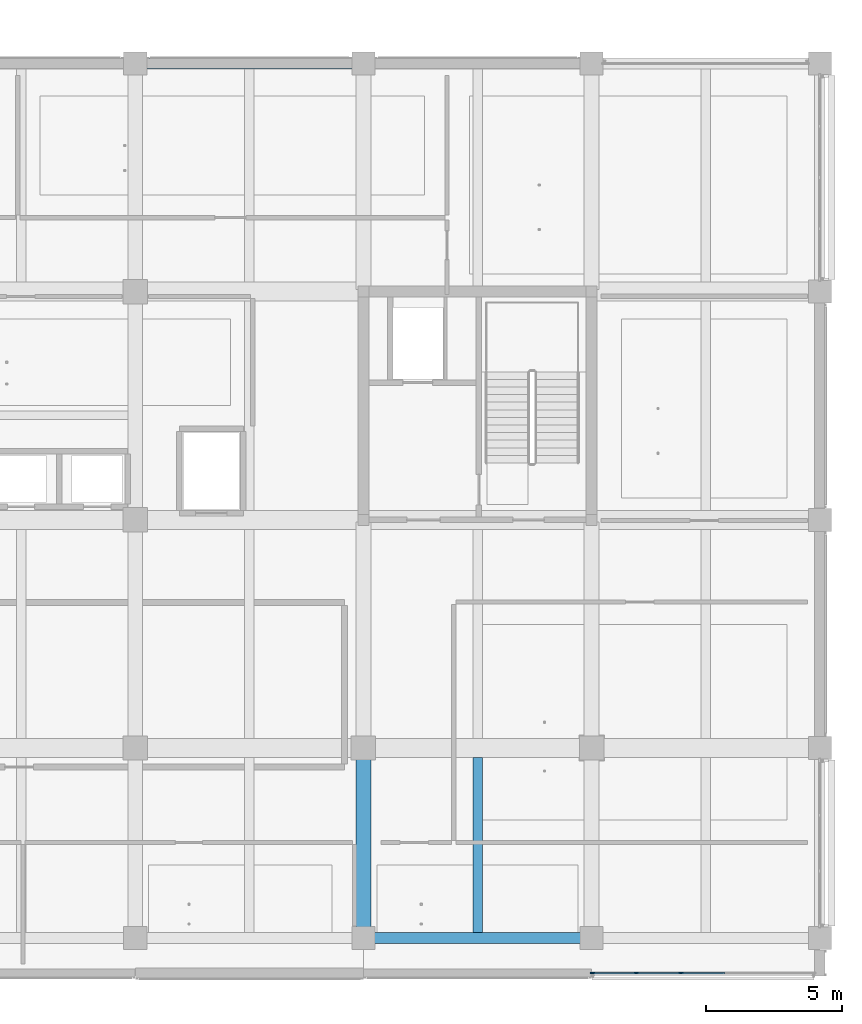
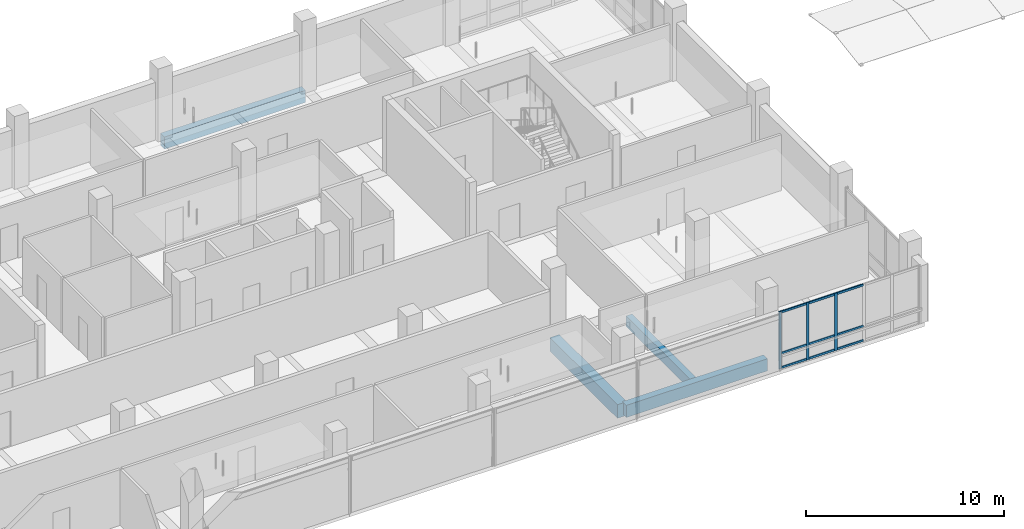
# One storey, part 7 of 39: 12 members, 4 beams, 1 element without a shape of its own.
"""IFC4 building model written with IfcOpenShell, lengths in metres."""

from ifc_helpers import new_model, si_unit, direction, frame, origin, origin_2d, place, context, subcontext, project, spatial, rectangle, extrude, material, layer, layer_set, material_profile, profile_set, type_object, element, aggregate, save


model = new_model("IFC4")

# Units and contexts
model_context = context("Model", 3, precision=1e-05, world=origin(), true_north=direction((0.0, 1.0)))
body_context = subcontext(model_context, "Body", "Model", "MODEL_VIEW")
ifc_project = project(units=[si_unit("LENGTHUNIT", "METRE"), si_unit("AREAUNIT", "SQUARE_METRE"), si_unit("VOLUMEUNIT", "CUBIC_METRE"), si_unit("PLANEANGLEUNIT", "RADIAN"), si_unit("MASSUNIT", "GRAM", prefix="KILO")], contexts=[model_context])

# Site, building, storey
site_placement = place(None, origin())
site = spatial("IfcSite", under=ifc_project, at=site_placement, CompositionType="ELEMENT")
building_placement = place(site_placement, origin())
building = spatial("IfcBuilding", under=site, at=building_placement, Name="Telukmera Botanical Conservatory", CompositionType="ELEMENT")
storey_placement = place(building_placement, frame((0.0, 0.0, 19.5)))
storey = spatial("IfcBuildingStorey", under=building, at=storey_placement, Name="L04", CompositionType="ELEMENT", Elevation=19.5)

# Beams
ifc_material_1 = material(Name="Concrete C40/50", Category="concrete")
ifc_material_profile_1 = material_profile(ifc_material_1, rectangle(XDim=0.35009765625, YDim=0.64990234375, at=origin_2d()), Name="RC 350x650")
ifc_profile_set_1 = profile_set([ifc_material_profile_1], Name="Concrete C40/50")
beam_type_1 = type_object("IfcBeamType", Name="Beam_B20", PredefinedType="JOIST", material=ifc_profile_set_1)
beam_1_placement = place(storey_placement, frame((96.60009765625, 10.800048828125, -0.324951171875), z_axis=(0.0, 1.0, 0.0), x_axis=(-1.0, 0.0, 0.0)))
element("IfcBeam", 1, at=beam_1_placement, inside=storey, type_object=beam_type_1, Name="Tower Secondary Floor Joist L04", PredefinedType="JOIST", context=body_context, shape_type="SweptSolid", body=[
    extrude(rectangle(XDim=0.35009765625, YDim=0.64990234375, at=origin_2d()), origin(), (0.0, 0.0, 1.0), 6.449951171875),
])
ifc_material_profile_2 = material_profile(ifc_material_1, rectangle(XDim=0.550048828125, YDim=0.85009765625, at=origin_2d()), Name="RC 550x850")
ifc_profile_set_2 = profile_set([ifc_material_profile_2], Name="Concrete C40/50")
beam_type_2 = type_object("IfcBeamType", Name="Beam_B4", PredefinedType="BEAM", material=ifc_profile_set_2)
beam_2_placement = place(storey_placement, frame((92.39990234375, 10.679931640625, -0.425048828125), z_axis=(0.0, 1.0, 0.0), x_axis=(-1.0, 0.0, 0.0)))
element("IfcBeam", 2, at=beam_2_placement, inside=storey, type_object=beam_type_2, Name="Tower Transverse Beam L04", PredefinedType="BEAM", context=body_context, shape_type="SweptSolid", body=[
    extrude(rectangle(XDim=0.550048828125, YDim=0.85009765625, at=origin_2d()), origin(), (0.0, 0.0, 1.0), 6.840087890625),
])
ifc_material_2 = material(Name="Precast concrete C40/50", Category="concrete")
ifc_material_profile_3 = material_profile(ifc_material_2, rectangle(XDim=0.39990234375, YDim=0.75, at=origin_2d()), Name="PC 400x750")
ifc_profile_set_3 = profile_set([ifc_material_profile_3], Name="Precast concrete C40/50")
beam_type_3 = type_object("IfcBeamType", Name="Beam_SP1", PredefinedType="SPANDREL", material=ifc_profile_set_3)
for number, where, z_axis, x_axis, name in (
    (3, (92.47998046875, 10.60009765625, -0.375), (1.0, 0.0, 0.0), (0.0, 1.0, 0.0), "Tower Grid Beam L04"),
    (4, (84.080078125, 42.800048828125, -0.375), (1.0, 0.0, 0.0), (0.0, 1.0, 0.0), "Tower Grid Beam L04"),
):
    element("IfcBeam", number, at=place(storey_placement, frame(where, z_axis=z_axis, x_axis=x_axis)), inside=storey, type_object=beam_type_3, Name=name, PredefinedType="SPANDREL", context=body_context, shape_type="SweptSolid", body=[
        extrude(rectangle(XDim=0.39990234375, YDim=0.75, at=origin_2d()), origin(), (0.0, 0.0, 1.0), 8.239990234375),
    ])

# Curtain wall, members
ifc_material_3 = material(Name="Anodised aluminium 6063-T6", Category="aluminium")
ifc_layer = layer(ifc_material_3, 0.179931640625)
ifc_layer_set = layer_set([ifc_layer], Name="Anodised aluminium 6063-T6")
curtain_wall_type = type_object("IfcCurtainWallType", Name="Tower Herbarium Curation Corner Curtain Wall", PredefinedType="USERDEFINED", material=ifc_layer_set)
curtain_wall_placement = place(storey_placement, origin())
curtain_wall = element("IfcCurtainWall", 5, at=curtain_wall_placement, inside=storey, type_object=curtain_wall_type, Name="Unitised Curtain Wall CW14 V4:L04:S7", ObjectType="UNITISED CURTAIN WALL", PredefinedType="USERDEFINED")
ifc_material_profile_4 = material_profile(ifc_material_3, rectangle(XDim=0.06494140625, YDim=0.159912109375, at=origin_2d()), Name="ALU MULL 65x160")
ifc_profile_set_4 = profile_set([ifc_material_profile_4], Name="Anodised aluminium 6063-T6")
member_type_1 = type_object("IfcMemberType", Name="Curtain Wall Extruded Mullion 65x160", PredefinedType="MULLION", material=ifc_profile_set_4)
member_1_placement = place(storey_placement, frame((100.83447265625, 9.320068359375, 0.0), z_axis=(0.0, 0.0, 1.0), x_axis=(0.0, 1.0, 0.0)))
member_1 = element("IfcMember", 6, at=member_1_placement, type_object=member_type_1, Name="CW14 mullion 1", PredefinedType="MULLION", context=body_context, shape_type="SweptSolid", body=[
    extrude(rectangle(XDim=0.06494140625, YDim=0.159912109375, at=origin_2d()), origin(), (0.0, 0.0, 1.0), 3.550048828125),
])
member_2_placement = place(storey_placement, frame((102.443115234375, 9.320068359375, 0.0), z_axis=(0.0, 0.0, 1.0), x_axis=(0.0, 1.0, 0.0)))
member_2 = element("IfcMember", 7, at=member_2_placement, type_object=member_type_1, Name="CW14 mullion 2", PredefinedType="MULLION", context=body_context, shape_type="SweptSolid", body=[
    extrude(rectangle(XDim=0.06494140625, YDim=0.159912109375, at=origin_2d()), origin(), (0.0, 0.0, 1.0), 3.550048828125),
])
member_3_placement = place(storey_placement, frame((104.08447265625, 9.320068359375, 0.0), z_axis=(0.0, 0.0, 1.0), x_axis=(0.0, 1.0, 0.0)))
member_3 = element("IfcMember", 8, at=member_3_placement, type_object=member_type_1, Name="CW14 mullion 3", PredefinedType="MULLION", context=body_context, shape_type="SweptSolid", body=[
    extrude(rectangle(XDim=0.06494140625, YDim=0.159912109375, at=origin_2d()), origin(), (0.0, 0.0, 1.0), 3.550048828125),
])
ifc_material_profile_5 = material_profile(ifc_material_3, rectangle(XDim=0.06494140625, YDim=0.1298828125, at=origin_2d()), Name="ALU TRAN 65x130")
ifc_profile_set_5 = profile_set([ifc_material_profile_5], Name="Anodised aluminium 6063-T6")
member_type_2 = type_object("IfcMemberType", Name="Curtain Wall Extruded Transom 65x130", PredefinedType="USERDEFINED", material=ifc_profile_set_5)
member_4_placement = place(storey_placement, frame((100.866943359375, 9.320068359375, 0.06494140625), z_axis=(1.0, 0.0, 0.0), x_axis=(0.0, 1.0, 0.0)))
member_4 = element("IfcMember", 9, at=member_4_placement, type_object=member_type_2, Name="CW14 transom 1.1", ObjectType="TRANSOM", PredefinedType="USERDEFINED", context=body_context, shape_type="SweptSolid", body=[
    extrude(rectangle(XDim=0.06494140625, YDim=0.1298828125, at=origin_2d()), origin(), (0.0, 0.0, 1.0), 1.543701171875),
])
member_5_placement = place(storey_placement, frame((100.866943359375, 9.320068359375, 0.949951171875), z_axis=(1.0, 0.0, 0.0), x_axis=(0.0, 1.0, 0.0)))
member_5 = element("IfcMember", 10, at=member_5_placement, type_object=member_type_2, Name="CW14 transom 1.2", ObjectType="TRANSOM", PredefinedType="USERDEFINED", context=body_context, shape_type="SweptSolid", body=[
    extrude(rectangle(XDim=0.06494140625, YDim=0.1298828125, at=origin_2d()), origin(), (0.0, 0.0, 1.0), 1.543701171875),
])
member_6_placement = place(storey_placement, frame((100.866943359375, 9.320068359375, 3.485107421875), z_axis=(1.0, 0.0, 0.0), x_axis=(0.0, 1.0, 0.0)))
member_6 = element("IfcMember", 11, at=member_6_placement, type_object=member_type_2, Name="CW14 transom 1.3", ObjectType="TRANSOM", PredefinedType="USERDEFINED", context=body_context, shape_type="SweptSolid", body=[
    extrude(rectangle(XDim=0.06494140625, YDim=0.1298828125, at=origin_2d()), origin(), (0.0, 0.0, 1.0), 1.543701171875),
])
member_7_placement = place(storey_placement, frame((102.4755859375, 9.320068359375, 0.06494140625), z_axis=(1.0, 0.0, 0.0), x_axis=(0.0, 1.0, 0.0)))
member_7 = element("IfcMember", 12, at=member_7_placement, type_object=member_type_2, Name="CW14 transom 2.1", ObjectType="TRANSOM", PredefinedType="USERDEFINED", context=body_context, shape_type="SweptSolid", body=[
    extrude(rectangle(XDim=0.06494140625, YDim=0.1298828125, at=origin_2d()), origin(), (0.0, 0.0, 1.0), 1.576416015625),
])
member_8_placement = place(storey_placement, frame((102.4755859375, 9.320068359375, 0.949951171875), z_axis=(1.0, 0.0, 0.0), x_axis=(0.0, 1.0, 0.0)))
member_8 = element("IfcMember", 13, at=member_8_placement, type_object=member_type_2, Name="CW14 transom 2.2", ObjectType="TRANSOM", PredefinedType="USERDEFINED", context=body_context, shape_type="SweptSolid", body=[
    extrude(rectangle(XDim=0.06494140625, YDim=0.1298828125, at=origin_2d()), origin(), (0.0, 0.0, 1.0), 1.576416015625),
])
member_9_placement = place(storey_placement, frame((102.4755859375, 9.320068359375, 3.485107421875), z_axis=(1.0, 0.0, 0.0), x_axis=(0.0, 1.0, 0.0)))
member_9 = element("IfcMember", 14, at=member_9_placement, type_object=member_type_2, Name="CW14 transom 2.3", ObjectType="TRANSOM", PredefinedType="USERDEFINED", context=body_context, shape_type="SweptSolid", body=[
    extrude(rectangle(XDim=0.06494140625, YDim=0.1298828125, at=origin_2d()), origin(), (0.0, 0.0, 1.0), 1.576416015625),
])
member_10_placement = place(storey_placement, frame((104.116943359375, 9.320068359375, 0.06494140625), z_axis=(1.0, 0.0, 0.0), x_axis=(0.0, 1.0, 0.0)))
member_10 = element("IfcMember", 15, at=member_10_placement, type_object=member_type_2, Name="CW14 transom 3.1", ObjectType="TRANSOM", PredefinedType="USERDEFINED", context=body_context, shape_type="SweptSolid", body=[
    extrude(rectangle(XDim=0.06494140625, YDim=0.1298828125, at=origin_2d()), origin(), (0.0, 0.0, 1.0), 1.576171875),
])
member_11_placement = place(storey_placement, frame((104.116943359375, 9.320068359375, 0.949951171875), z_axis=(1.0, 0.0, 0.0), x_axis=(0.0, 1.0, 0.0)))
member_11 = element("IfcMember", 16, at=member_11_placement, type_object=member_type_2, Name="CW14 transom 3.2", ObjectType="TRANSOM", PredefinedType="USERDEFINED", context=body_context, shape_type="SweptSolid", body=[
    extrude(rectangle(XDim=0.06494140625, YDim=0.1298828125, at=origin_2d()), origin(), (0.0, 0.0, 1.0), 1.576171875),
])
member_12_placement = place(storey_placement, frame((104.116943359375, 9.320068359375, 3.485107421875), z_axis=(1.0, 0.0, 0.0), x_axis=(0.0, 1.0, 0.0)))
member_12 = element("IfcMember", 17, at=member_12_placement, type_object=member_type_2, Name="CW14 transom 3.3", ObjectType="TRANSOM", PredefinedType="USERDEFINED", context=body_context, shape_type="SweptSolid", body=[
    extrude(rectangle(XDim=0.06494140625, YDim=0.1298828125, at=origin_2d()), origin(), (0.0, 0.0, 1.0), 1.576171875),
])
aggregate(curtain_wall, [member_1, member_2, member_3, member_4, member_5, member_6, member_7, member_8, member_9, member_10, member_11, member_12])

save(model, "model.ifc")
